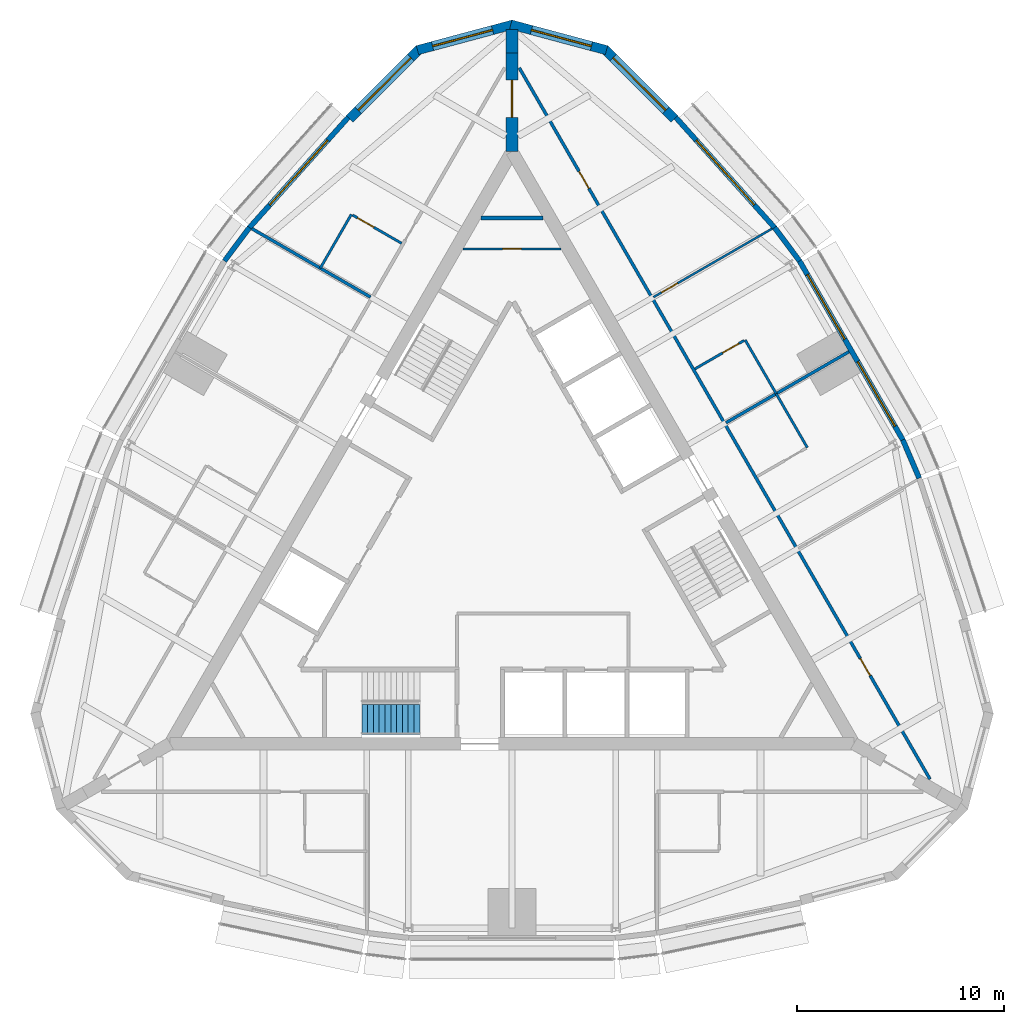
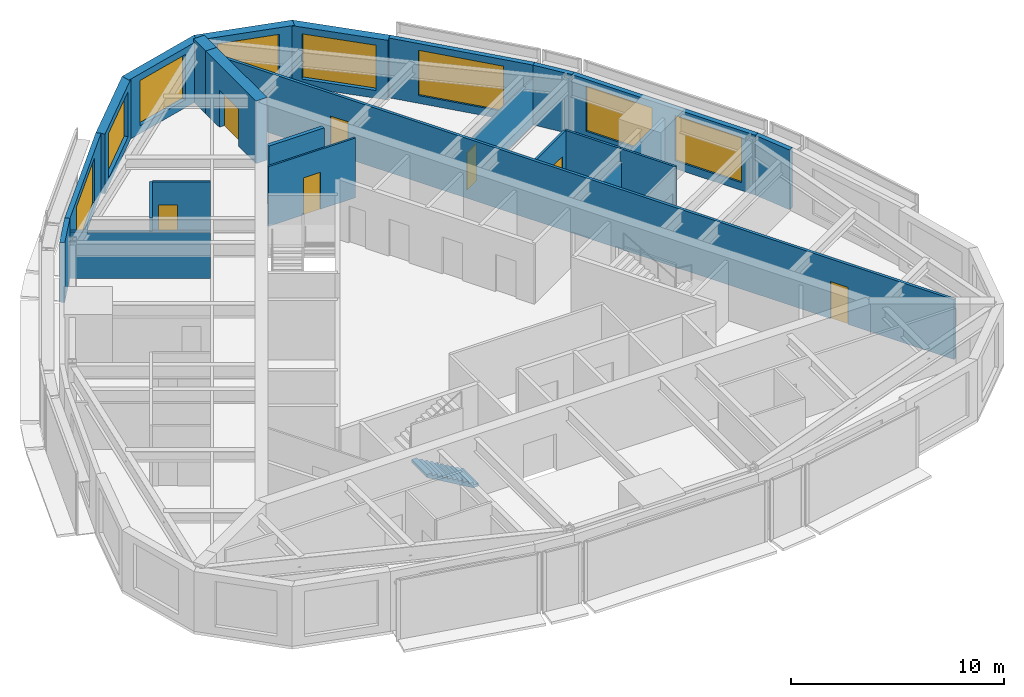
# One storey, part 10 of 12: 23 walls, 8 windows, 7 doors, 1 stair flight, 15 openings, 1 element without a shape of its own.
"""IFC4 building model written with IfcOpenShell, lengths in metres."""

from ifc_helpers import new_model, si_unit, direction, frame, frame_2d, origin, place, context, subcontext, project, spatial, polyline, rectangle, outline, extrude, material, layer, layer_set, type_object, element, fill, aggregate, save


model = new_model("IFC4")

# Units and contexts
model_context = context("Model", 3, precision=1e-05, world=origin(), true_north=direction((0.0, 1.0)))
body_context = subcontext(model_context, "Body", "Model", "MODEL_VIEW")
ifc_project = project(units=[si_unit("LENGTHUNIT", "METRE"), si_unit("AREAUNIT", "SQUARE_METRE"), si_unit("VOLUMEUNIT", "CUBIC_METRE"), si_unit("PLANEANGLEUNIT", "RADIAN"), si_unit("MASSUNIT", "GRAM", prefix="KILO")], contexts=[model_context])

# Site, building, storey
site_placement = place(None, origin())
site = spatial("IfcSite", under=ifc_project, at=site_placement, CompositionType="ELEMENT")
building_placement = place(site_placement, origin())
building = spatial("IfcBuilding", under=site, at=building_placement, Name="Trikona Tower", CompositionType="ELEMENT")
storey_placement = place(building_placement, frame((0.0, 0.0, 250.10009765625)))
storey = spatial("IfcBuildingStorey", under=building, at=storey_placement, Name="L66", CompositionType="ELEMENT", Elevation=250.10009765625)

# Walls
ifc_material_1 = material(Name="Metal stud and cement board", Category="gypsum")
ifc_layer_1 = layer(ifc_material_1, 0.1201171875)
ifc_layer_set_1 = layer_set([ifc_layer_1], Name="Bathroom wall 120")
wall_type_1 = type_object("IfcWallType", Name="Bathroom wall 120", PredefinedType="PLUMBINGWALL", material=ifc_layer_set_1)
wall_1_placement = place(storey_placement, frame((14.25341796875, 4.76513671875, 0.0), z_axis=(0.0, 0.0, 1.0), x_axis=(-0.50002537861, 0.866010750942, 0.0)))
element("IfcWall", 1, at=wall_1_placement, inside=storey, type_object=wall_type_1, Name="Bathroom wall 6603.1", PredefinedType="PLUMBINGWALL", context=body_context, shape_type="SweptSolid", body=[
    extrude(rectangle(XDim=2.999755859375, YDim=0.1201171875, at=frame_2d((1.5, 0.0))), origin(), (0.0, 0.0, 1.0), 3.434814453125),
])
wall_2_placement = place(storey_placement, frame((12.75341796875, 7.363037109375, 0.0), z_axis=(0.0, 0.0, 1.0), x_axis=(-0.499990139034, 0.866031096941, 0.0)))
element("IfcWall", 2, at=wall_2_placement, inside=storey, type_object=wall_type_1, Name="Bathroom wall 6604.1", PredefinedType="PLUMBINGWALL", context=body_context, shape_type="SweptSolid", body=[
    extrude(rectangle(XDim=3.0, YDim=0.1201171875, at=frame_2d((1.5, 0.0))), origin(), (0.0, 0.0, 1.0), 3.434814453125),
])

# Wall, opening, door
wall_3_placement = place(storey_placement, frame((8.82861328125, 8.561279296875, 0.0), z_axis=(0.0, 0.0, 1.0), x_axis=(0.866035715982, 0.499982138324, 0.0)))
wall_3 = element("IfcWall", 3, at=wall_3_placement, inside=storey, type_object=wall_type_1, Name="Bathroom wall 6604.1", PredefinedType="PLUMBINGWALL", context=body_context, shape_type="SweptSolid", body=[
    extrude(rectangle(XDim=2.73974609375, YDim=0.1201171875, at=frame_2d((1.369873046875, 0.0))), origin(), (0.0, 0.0, 1.0), 3.434814453125),
])
opening_1_placement = place(wall_3_placement, frame((1.550048828125, 0.0, 0.0)))
opening_1 = element("IfcOpeningElement", 4, at=opening_1_placement, cuts=wall_3, Name="Opening D2", PredefinedType="OPENING", context=body_context, shape_type="SweptSolid", body=[
    extrude(rectangle(XDim=0.89990234375, YDim=2.1298828125, at=frame_2d((0.449951171875, 1.06494140625))), frame((0.0, 0.070068359375, 0.0), z_axis=(0.0, -1.0, 0.0), x_axis=(1.0, 0.0, 0.0)), (0.0, 0.0, 1.0), 0.14013671875),
])
ifc_material_2 = material(Name="Steel door frame with solid-core timber leaf", Category="steel")
door_type_1 = type_object("IfcDoorType", Name="Bathroom door 900x2130", OperationType="SLIDING_TO_LEFT", PredefinedType="DOOR", material=ifc_material_2)
door_1_placement = place(opening_1_placement, origin())
door_1 = element("IfcDoor", 5, at=door_1_placement, inside=storey, type_object=door_type_1, Name="Bathroom door 6604.1", OperationType="SLIDING_TO_LEFT", OverallHeight=2.1298828125, OverallWidth=0.89990234375, PredefinedType="DOOR", context=body_context, shape_type="SweptSolid", body=[
    extrude(rectangle(XDim=0.89990234375, YDim=2.1298828125, at=frame_2d((0.449951171875, 1.06494140625))), frame((0.0, 0.02490234375, 0.0), z_axis=(0.0, -1.0, 0.0), x_axis=(1.0, 0.0, 0.0)), (0.0, 0.0, 1.0), 0.050048828125),
])
fill(opening_1, door_1)

# Wall
wall_4_placement = place(storey_placement, frame((-7.75341796875, 16.0234375, 0.0), z_axis=(0.0, 0.0, 1.0), x_axis=(-0.499990139034, -0.866031096941, 0.0)))
element("IfcWall", 6, at=wall_4_placement, inside=storey, type_object=wall_type_1, Name="Bathroom wall 6605", PredefinedType="PLUMBINGWALL", context=body_context, shape_type="SweptSolid", body=[
    extrude(rectangle(XDim=3.0, YDim=0.1201171875, at=frame_2d((1.5, 0.0))), origin(), (0.0, 0.0, 1.0), 3.434814453125),
])

# Wall, opening, door
wall_5_placement = place(storey_placement, frame((-5.32861328125, 14.623291015625, 0.0), z_axis=(0.0, 0.0, 1.0), x_axis=(-0.865997131366, 0.500048966069, 0.0)))
wall_5 = element("IfcWall", 7, at=wall_5_placement, inside=storey, type_object=wall_type_1, Name="Bathroom wall 6605", PredefinedType="PLUMBINGWALL", context=body_context, shape_type="SweptSolid", body=[
    extrude(rectangle(XDim=2.739990234375, YDim=0.1201171875, at=frame_2d((1.3701171875, 0.0))), origin(), (0.0, 0.0, 1.0), 3.434814453125),
])
opening_2_placement = place(wall_5_placement, frame((1.550048828125, 0.0, 0.0)))
opening_2 = element("IfcOpeningElement", 8, at=opening_2_placement, cuts=wall_5, Name="Opening D2", PredefinedType="OPENING", context=body_context, shape_type="SweptSolid", body=[
    extrude(rectangle(XDim=0.89990234375, YDim=2.1298828125, at=frame_2d((0.449951171875, 1.06494140625))), frame((0.0, 0.070068359375, 0.0), z_axis=(0.0, -1.0, 0.0), x_axis=(1.0, 0.0, 0.0)), (0.0, 0.0, 1.0), 0.14013671875),
])
door_2_placement = place(opening_2_placement, origin())
door_2 = element("IfcDoor", 9, at=door_2_placement, inside=storey, type_object=door_type_1, Name="Bathroom door 6605", OperationType="SLIDING_TO_LEFT", OverallHeight=2.1298828125, OverallWidth=0.89990234375, PredefinedType="DOOR", context=body_context, shape_type="SweptSolid", body=[
    extrude(rectangle(XDim=0.89990234375, YDim=2.1298828125, at=frame_2d((0.449951171875, 1.06494140625))), frame((0.0, 0.02490234375, 0.0), z_axis=(0.0, -1.0, 0.0), x_axis=(1.0, 0.0, 0.0)), (0.0, 0.0, 1.0), 0.050048828125),
])
fill(opening_2, door_2)

# Wall, opening, window
ifc_material_3 = material(Name="Brick-faced precast concrete", Category="masonry")
ifc_layer_2 = layer(ifc_material_3, 0.449951171875)
ifc_layer_set_2 = layer_set([ifc_layer_2], Name="Brick-faced corner wall 450")
wall_type_2 = type_object("IfcWallType", Name="Brick-faced corner wall 450", PredefinedType="SOLIDWALL", material=ifc_layer_set_2)
wall_6_placement = place(storey_placement, frame((7.8408203125, 20.62548828125, 0.0), z_axis=(0.0, 0.0, 1.0), x_axis=(-0.707106781187, 0.707106781187, 0.0)))
wall_6 = element("IfcWall", 10, at=wall_6_placement, inside=storey, type_object=wall_type_2, Name="External wall L66-14", PredefinedType="SOLIDWALL", context=body_context, shape_type="SweptSolid", body=[
    extrude(rectangle(XDim=4.781494140625, YDim=0.449951171875, at=frame_2d((2.390625, 0.0))), origin(), (0.0, 0.0, 1.0), 3.434814453125),
])
opening_3_placement = place(wall_6_placement, frame((0.5908203125, 0.0, 0.449951171875)))
opening_3 = element("IfcOpeningElement", 11, at=opening_3_placement, cuts=wall_6, Name="Opening W3626", PredefinedType="OPENING", context=body_context, shape_type="SweptSolid", body=[
    extrude(rectangle(XDim=3.60009765625, YDim=2.60009765625, at=frame_2d((1.800048828125, 1.300048828125))), frame((0.0, 0.23486328125, 0.0), z_axis=(0.0, -1.0, 0.0), x_axis=(1.0, 0.0, 0.0)), (0.0, 0.0, 1.0), 0.469970703125),
])
ifc_material_4 = material(Name="Aluminium-framed double glazing", Category="aluminium")
window_type_1 = type_object("IfcWindowType", Name="Window 3600x2600", PartitioningType="SINGLE_PANEL", PredefinedType="WINDOW", material=ifc_material_4)
window_1_placement = place(opening_3_placement, origin())
window_1 = element("IfcWindow", 12, at=window_1_placement, inside=storey, type_object=window_type_1, Name="Window 6604", OverallHeight=2.60009765625, OverallWidth=3.60009765625, PartitioningType="SINGLE_PANEL", PredefinedType="WINDOW", context=body_context, shape_type="SweptSolid", body=[
    extrude(rectangle(XDim=3.60009765625, YDim=2.60009765625, at=frame_2d((1.800048828125, 1.300048828125))), frame((0.0, 0.030029296875, 0.0), z_axis=(0.0, -1.0, 0.0), x_axis=(1.0, 0.0, 0.0)), (0.0, 0.0, 1.0), 0.06005859375),
])
fill(opening_3, window_1)

wall_7_placement = place(storey_placement, frame((4.560546875, 23.948486328125, 0.0), z_axis=(0.0, 0.0, 1.0), x_axis=(-0.965926628191, 0.258816052347, 0.0)))
wall_7 = element("IfcWall", 13, at=wall_7_placement, inside=storey, type_object=wall_type_2, Name="External wall L66-15", PredefinedType="SOLIDWALL", context=body_context, shape_type="SweptSolid", body=[
    extrude(outline(polyline([(4.781494140625, 0.22509765625), (4.722412109375, 0.22509765625), (4.37548828125, 0.132080078125), (4.3505859375, 0.22509765625), (0.0, 0.22509765625), (0.0, -0.22509765625), (4.781494140625, -0.22509765625), (4.781494140625, 0.22509765625)])), origin(), (0.0, 0.0, 1.0), 3.434814453125),
])
opening_4_placement = place(wall_7_placement, frame((0.750244140625, 0.0, 0.449951171875)))
opening_4 = element("IfcOpeningElement", 14, at=opening_4_placement, cuts=wall_7, Name="Opening W3026", PredefinedType="OPENING", context=body_context, shape_type="SweptSolid", body=[
    extrude(rectangle(XDim=3.0, YDim=2.60009765625, at=frame_2d((1.5, 1.300048828125))), frame((0.0, 0.23486328125, 0.0), z_axis=(0.0, -1.0, 0.0), x_axis=(1.0, 0.0, 0.0)), (0.0, 0.0, 1.0), 0.469970703125),
])
ifc_material_5 = material(Name="Aluminium-framed double glazing", Category="aluminium")
window_type_2 = type_object("IfcWindowType", Name="Window 3000x2600", PartitioningType="SINGLE_PANEL", PredefinedType="WINDOW", material=ifc_material_5)
window_2_placement = place(opening_4_placement, origin())
window_2 = element("IfcWindow", 15, at=window_2_placement, inside=storey, type_object=window_type_2, Name="Window 6604", OverallHeight=2.60009765625, OverallWidth=3.0, PartitioningType="SINGLE_PANEL", PredefinedType="WINDOW", context=body_context, shape_type="SweptSolid", body=[
    extrude(rectangle(XDim=3.0, YDim=2.60009765625, at=frame_2d((1.5, 1.300048828125))), frame((0.0, 0.030029296875, 0.0), z_axis=(0.0, -1.0, 0.0), x_axis=(1.0, 0.0, 0.0)), (0.0, 0.0, 1.0), 0.06005859375),
])
fill(opening_4, window_2)

wall_8_placement = place(storey_placement, frame((0.05810546875, 25.18603515625, 0.0), z_axis=(0.0, 0.0, 1.0), x_axis=(-0.965926628191, -0.258816052347, 0.0)))
wall_8 = element("IfcWall", 16, at=wall_8_placement, inside=storey, type_object=wall_type_2, Name="External wall L66-16", PredefinedType="SOLIDWALL", context=body_context, shape_type="SweptSolid", body=[
    extrude(outline(polyline([(4.781494140625, 0.22509765625), (0.430908203125, 0.22509765625), (0.406005859375, 0.132080078125), (0.059326171875, 0.22509765625), (0.0, 0.22509765625), (0.0, -0.22509765625), (4.781494140625, -0.22509765625), (4.781494140625, 0.22509765625)])), origin(), (0.0, 0.0, 1.0), 3.434814453125),
])
opening_5_placement = place(wall_8_placement, frame((1.031494140625, 0.0, 0.449951171875)))
opening_5 = element("IfcOpeningElement", 17, at=opening_5_placement, cuts=wall_8, Name="Opening W3026", PredefinedType="OPENING", context=body_context, shape_type="SweptSolid", body=[
    extrude(rectangle(XDim=3.0, YDim=2.60009765625, at=frame_2d((1.5, 1.300048828125))), frame((0.0, 0.23486328125, 0.0), z_axis=(0.0, -1.0, 0.0), x_axis=(1.0, 0.0, 0.0)), (0.0, 0.0, 1.0), 0.469970703125),
])
window_3_placement = place(opening_5_placement, origin())
window_3 = element("IfcWindow", 18, at=window_3_placement, inside=storey, type_object=window_type_2, Name="Window 6605", OverallHeight=2.60009765625, OverallWidth=3.0, PartitioningType="SINGLE_PANEL", PredefinedType="WINDOW", context=body_context, shape_type="SweptSolid", body=[
    extrude(rectangle(XDim=3.0, YDim=2.60009765625, at=frame_2d((1.5, 1.300048828125))), frame((0.0, 0.030029296875, 0.0), z_axis=(0.0, -1.0, 0.0), x_axis=(1.0, 0.0, 0.0)), (0.0, 0.0, 1.0), 0.06005859375),
])
fill(opening_5, window_3)

wall_9_placement = place(storey_placement, frame((-4.459716796875, 24.006591796875, 0.0), z_axis=(0.0, 0.0, 1.0), x_axis=(-0.707106781187, -0.707106781187, 0.0)))
wall_9 = element("IfcWall", 19, at=wall_9_placement, inside=storey, type_object=wall_type_2, Name="External wall L66-17", PredefinedType="SOLIDWALL", context=body_context, shape_type="SweptSolid", body=[
    extrude(rectangle(XDim=4.781494140625, YDim=0.449951171875, at=frame_2d((2.390625, 0.0))), origin(), (0.0, 0.0, 1.0), 3.434814453125),
])
opening_6_placement = place(wall_9_placement, frame((0.5908203125, 0.0, 0.449951171875)))
opening_6 = element("IfcOpeningElement", 20, at=opening_6_placement, cuts=wall_9, Name="Opening W3626", PredefinedType="OPENING", context=body_context, shape_type="SweptSolid", body=[
    extrude(rectangle(XDim=3.60009765625, YDim=2.60009765625, at=frame_2d((1.800048828125, 1.300048828125))), frame((0.0, 0.23486328125, 0.0), z_axis=(0.0, -1.0, 0.0), x_axis=(1.0, 0.0, 0.0)), (0.0, 0.0, 1.0), 0.469970703125),
])
window_4_placement = place(opening_6_placement, origin())
window_4 = element("IfcWindow", 21, at=window_4_placement, inside=storey, type_object=window_type_1, Name="Window 6605", OverallHeight=2.60009765625, OverallWidth=3.60009765625, PartitioningType="SINGLE_PANEL", PredefinedType="WINDOW", context=body_context, shape_type="SweptSolid", body=[
    extrude(rectangle(XDim=3.60009765625, YDim=2.60009765625, at=frame_2d((1.800048828125, 1.300048828125))), frame((0.0, 0.030029296875, 0.0), z_axis=(0.0, -1.0, 0.0), x_axis=(1.0, 0.0, 0.0)), (0.0, 0.0, 1.0), 0.06005859375),
])
fill(opening_6, window_4)

# Wall, opening, door
ifc_material_6 = material(Name="Concrete f'c 10000 psi", Category="concrete")
ifc_layer_3 = layer(ifc_material_6, 0.60009765625)
ifc_layer_set_3 = layer_set([ifc_layer_3], Name="Buttress wall 600")
wall_type_3 = type_object("IfcWallType", Name="Buttress wall 600", PredefinedType="SHEAR", material=ifc_layer_set_3)
wall_10_placement = place(storey_placement, frame((0.0, 19.052490234375, 0.0), z_axis=(0.0, 0.0, 1.0), x_axis=(0.0, 1.0, 0.0)))
wall_10 = element("IfcWall", 22, at=wall_10_placement, inside=storey, type_object=wall_type_3, Name="Buttress wall 2", PredefinedType="SHEAR", context=body_context, shape_type="SweptSolid", body=[
    extrude(rectangle(XDim=4.74609375, YDim=0.60009765625, at=frame_2d((2.373046875, 0.0))), origin(), (0.0, 0.0, 1.0), 3.599853515625),
])
opening_7_placement = place(wall_10_placement, frame((1.64990234375, 0.0, 0.0)))
opening_7 = element("IfcOpeningElement", 23, at=opening_7_placement, cuts=wall_10, Name="Opening D10", PredefinedType="OPENING", context=body_context, shape_type="SweptSolid", body=[
    extrude(rectangle(XDim=1.800048828125, YDim=2.1298828125, at=frame_2d((0.89990234375, 1.06494140625))), frame((0.0, 0.31005859375, 0.0), z_axis=(0.0, -1.0, 0.0), x_axis=(1.0, 0.0, 0.0)), (0.0, 0.0, 1.0), 0.6201171875),
])
ifc_material_7 = material(Name="Hollow metal door and frame", Category="steel")
door_type_2 = type_object("IfcDoorType", Name="Cross-corridor door pair 1800x2130", OperationType="DOUBLE_DOOR_DOUBLE_SWING", PredefinedType="DOOR", material=ifc_material_7)
door_3_placement = place(opening_7_placement, origin())
door_3 = element("IfcDoor", 24, at=door_3_placement, inside=storey, type_object=door_type_2, Name="Cross-corridor door 2", OperationType="DOUBLE_DOOR_DOUBLE_SWING", OverallHeight=2.1298828125, OverallWidth=1.800048828125, PredefinedType="DOOR", context=body_context, shape_type="SweptSolid", body=[
    extrude(rectangle(XDim=1.800048828125, YDim=2.1298828125, at=frame_2d((0.89990234375, 1.06494140625))), frame((0.0, 0.02490234375, 0.0), z_axis=(0.0, -1.0, 0.0), x_axis=(1.0, 0.0, 0.0)), (0.0, 0.0, 1.0), 0.050048828125),
])
fill(opening_7, door_3)

# Wall
wall_11_placement = place(storey_placement, frame((0.0, 23.798583984375, 0.0), z_axis=(0.0, 0.0, 1.0), x_axis=(0.0, 1.0, 0.0)))
element("IfcWall", 25, at=wall_11_placement, inside=storey, type_object=wall_type_3, Name="Buttress wall 2 part 2", PredefinedType="SHEAR", context=body_context, shape_type="SweptSolid", body=[
    extrude(rectangle(XDim=1.15478515625, YDim=0.60009765625, at=frame_2d((0.577392578125, 0.0))), origin(), (0.0, 0.0, 1.0), 3.599853515625),
])

# Wall, openings, doors
ifc_material_8 = material(Name="Metal stud and gypsum board, 1-hour", Category="gypsum")
ifc_layer_4 = layer(ifc_material_8, 0.14990234375)
ifc_layer_set_4 = layer_set([ifc_layer_4], Name="Corridor wall 150")
wall_type_4 = type_object("IfcWallType", Name="Corridor wall 150", PredefinedType="PARTITIONING", material=ifc_layer_set_4)
wall_12_placement = place(storey_placement, frame((20.177001953125, -11.2451171875, 0.0), z_axis=(0.0, 0.0, 1.0), x_axis=(-0.499998875317, 0.866026053119, 0.0)))
wall_12 = element("IfcWall", 26, at=wall_12_placement, inside=storey, type_object=wall_type_4, Name="Corridor wall L66-2", PredefinedType="PARTITIONING", context=body_context, shape_type="SweptSolid", body=[
    extrude(rectangle(XDim=39.65380859375, YDim=0.14990234375, at=frame_2d((19.826904296875, 0.0))), origin(), (0.0, 0.0, 1.0), 3.434814453125),
])
opening_8_placement = place(wall_12_placement, frame((5.771728515625, 0.0, 0.0)))
opening_8 = element("IfcOpeningElement", 27, at=opening_8_placement, cuts=wall_12, Name="Opening D1", PredefinedType="OPENING", context=body_context, shape_type="SweptSolid", body=[
    extrude(rectangle(XDim=0.949951171875, YDim=2.1298828125, at=frame_2d((0.47509765625, 1.06494140625))), frame((0.0, 0.0849609375, 0.0), z_axis=(0.0, -1.0, 0.0), x_axis=(1.0, 0.0, 0.0)), (0.0, 0.0, 1.0), 0.169921875),
])
opening_9_placement = place(wall_12_placement, frame((32.932373046875, 0.0, 0.0)))
opening_9 = element("IfcOpeningElement", 28, at=opening_9_placement, cuts=wall_12, Name="Opening D1", PredefinedType="OPENING", context=body_context, shape_type="SweptSolid", body=[
    extrude(rectangle(XDim=0.949951171875, YDim=2.1298828125, at=frame_2d((0.47509765625, 1.06494140625))), frame((0.0, 0.0849609375, 0.0), z_axis=(0.0, -1.0, 0.0), x_axis=(1.0, 0.0, 0.0)), (0.0, 0.0, 1.0), 0.169921875),
])
ifc_material_9 = material(Name="Steel door frame with solid-core timber leaf", Category="steel")
door_type_3 = type_object("IfcDoorType", Name="Guest room door 950x2130", OperationType="SINGLE_SWING_LEFT", PredefinedType="DOOR", material=ifc_material_9)
door_4_placement = place(opening_8_placement, origin())
door_4 = element("IfcDoor", 29, at=door_4_placement, inside=storey, type_object=door_type_3, Name="Room door 6603", OperationType="SINGLE_SWING_LEFT", OverallHeight=2.1298828125, OverallWidth=0.949951171875, PredefinedType="DOOR", context=body_context, shape_type="SweptSolid", body=[
    extrude(rectangle(XDim=0.949951171875, YDim=2.1298828125, at=frame_2d((0.47509765625, 1.06494140625))), frame((0.0, 0.02490234375, 0.0), z_axis=(0.0, -1.0, 0.0), x_axis=(1.0, 0.0, 0.0)), (0.0, 0.0, 1.0), 0.050048828125),
])
fill(opening_8, door_4)
door_5_placement = place(opening_9_placement, origin())
door_5 = element("IfcDoor", 30, at=door_5_placement, inside=storey, type_object=door_type_3, Name="Room door 6604", OperationType="SINGLE_SWING_RIGHT", OverallHeight=2.1298828125, OverallWidth=0.949951171875, PredefinedType="DOOR", context=body_context, shape_type="SweptSolid", body=[
    extrude(rectangle(XDim=0.949951171875, YDim=2.1298828125, at=frame_2d((0.47509765625, 1.06494140625))), frame((0.0, 0.02490234375, 0.0), z_axis=(0.0, -1.0, 0.0), x_axis=(1.0, 0.0, 0.0)), (0.0, 0.0, 1.0), 0.050048828125),
])
fill(opening_9, door_5)

# Wall
ifc_material_10 = material(Name="Insulated precast concrete spandrel panel", Category="concrete")
ifc_layer_5 = layer(ifc_material_10, 0.25)
ifc_layer_set_5 = layer_set([ifc_layer_5], Name="Inner skin wall 250")
wall_type_5 = type_object("IfcWallType", Name="Inner skin wall 250", PredefinedType="STANDARD", material=ifc_layer_set_5)
wall_13_placement = place(storey_placement, frame((19.658203125, 3.283935546875, 0.0), z_axis=(0.0, 0.0, 1.0), x_axis=(-0.393290226175, 0.91941437774, 0.0)))
element("IfcWall", 31, at=wall_13_placement, inside=storey, type_object=wall_type_5, Name="External wall L66-10", PredefinedType="STANDARD", context=body_context, shape_type="SweptSolid", body=[
    extrude(rectangle(XDim=2.014404296875, YDim=0.25, at=frame_2d((1.00732421875, 0.0))), origin(), (0.0, 0.0, 1.0), 3.434814453125),
])

# Wall, openings, windows
wall_14_placement = place(storey_placement, frame((18.87255859375, 5.12255859375, 0.0), z_axis=(0.0, 0.0, 1.0), x_axis=(-0.499993662806, 0.866029062534, 0.0)))
wall_14 = element("IfcWall", 32, at=wall_14_placement, inside=storey, type_object=wall_type_5, Name="External wall L66-11", PredefinedType="STANDARD", context=body_context, shape_type="SweptSolid", body=[
    extrude(rectangle(XDim=10.000244140625, YDim=0.25, at=frame_2d((5.0, 0.0))), origin(), (0.0, 0.0, 1.0), 3.434814453125),
])
opening_10_placement = place(wall_14_placement, frame((0.77490234375, 0.0, 0.449951171875)))
opening_10 = element("IfcOpeningElement", 33, at=opening_10_placement, cuts=wall_14, Name="Opening W3626", PredefinedType="OPENING", context=body_context, shape_type="SweptSolid", body=[
    extrude(rectangle(XDim=3.60009765625, YDim=2.60009765625, at=frame_2d((1.800048828125, 1.300048828125))), frame((0.0, 0.135009765625, 0.0), z_axis=(0.0, -1.0, 0.0), x_axis=(1.0, 0.0, 0.0)), (0.0, 0.0, 1.0), 0.27001953125),
])
opening_11_placement = place(wall_14_placement, frame((5.625, 0.0, 0.449951171875)))
opening_11 = element("IfcOpeningElement", 34, at=opening_11_placement, cuts=wall_14, Name="Opening W3626", PredefinedType="OPENING", context=body_context, shape_type="SweptSolid", body=[
    extrude(rectangle(XDim=3.60009765625, YDim=2.60009765625, at=frame_2d((1.800048828125, 1.300048828125))), frame((0.0, 0.135009765625, 0.0), z_axis=(0.0, -1.0, 0.0), x_axis=(1.0, 0.0, 0.0)), (0.0, 0.0, 1.0), 0.27001953125),
])
window_5_placement = place(opening_10_placement, origin())
window_5 = element("IfcWindow", 35, at=window_5_placement, inside=storey, type_object=window_type_1, Name="Window 6603.1", OverallHeight=2.60009765625, OverallWidth=3.60009765625, PartitioningType="SINGLE_PANEL", PredefinedType="WINDOW", context=body_context, shape_type="SweptSolid", body=[
    extrude(rectangle(XDim=3.60009765625, YDim=2.60009765625, at=frame_2d((1.800048828125, 1.300048828125))), frame((0.0, 0.030029296875, 0.0), z_axis=(0.0, -1.0, 0.0), x_axis=(1.0, 0.0, 0.0)), (0.0, 0.0, 1.0), 0.06005859375),
])
fill(opening_10, window_5)
window_6_placement = place(opening_11_placement, origin())
window_6 = element("IfcWindow", 36, at=window_6_placement, inside=storey, type_object=window_type_1, Name="Window 6604.1", OverallHeight=2.60009765625, OverallWidth=3.60009765625, PartitioningType="SINGLE_PANEL", PredefinedType="WINDOW", context=body_context, shape_type="SweptSolid", body=[
    extrude(rectangle(XDim=3.60009765625, YDim=2.60009765625, at=frame_2d((1.800048828125, 1.300048828125))), frame((0.0, 0.030029296875, 0.0), z_axis=(0.0, -1.0, 0.0), x_axis=(1.0, 0.0, 0.0)), (0.0, 0.0, 1.0), 0.06005859375),
])
fill(opening_11, window_6)

# Wall
wall_15_placement = place(storey_placement, frame((13.880859375, 13.7705078125, 0.0), z_axis=(0.0, 0.0, 1.0), x_axis=(-0.599650843534, 0.800261748335, 0.0)))
element("IfcWall", 37, at=wall_15_placement, inside=storey, type_object=wall_type_5, Name="External wall L66-12", PredefinedType="STANDARD", context=body_context, shape_type="SweptSolid", body=[
    extrude(rectangle(XDim=2.01416015625, YDim=0.25, at=frame_2d((1.007080078125, 0.0))), origin(), (0.0, 0.0, 1.0), 3.434814453125),
])

# Wall, opening, window
wall_16_placement = place(storey_placement, frame((12.679931640625, 15.3740234375, 0.0), z_axis=(0.0, 0.0, 1.0), x_axis=(-0.667303550892, 0.744785855778, 0.0)))
wall_16 = element("IfcWall", 38, at=wall_16_placement, inside=storey, type_object=wall_type_5, Name="External wall L66-13", PredefinedType="STANDARD", context=body_context, shape_type="SweptSolid", body=[
    extrude(rectangle(XDim=7.152587890625, YDim=0.25, at=frame_2d((3.576171875, 0.0))), origin(), (0.0, 0.0, 1.0), 3.434814453125),
])
opening_12_placement = place(wall_16_placement, frame((1.476318359375, 0.0, 0.449951171875)))
opening_12 = element("IfcOpeningElement", 39, at=opening_12_placement, cuts=wall_16, Name="Opening W4226", PredefinedType="OPENING", context=body_context, shape_type="SweptSolid", body=[
    extrude(rectangle(XDim=4.199951171875, YDim=2.60009765625, at=frame_2d((2.10009765625, 1.300048828125))), frame((0.0, 0.135009765625, 0.0), z_axis=(0.0, -1.0, 0.0), x_axis=(1.0, 0.0, 0.0)), (0.0, 0.0, 1.0), 0.27001953125),
])
ifc_material_11 = material(Name="Aluminium-framed double glazing", Category="aluminium")
window_type_3 = type_object("IfcWindowType", Name="Window 4200x2600", PartitioningType="SINGLE_PANEL", PredefinedType="WINDOW", material=ifc_material_11)
window_7_placement = place(opening_12_placement, origin())
window_7 = element("IfcWindow", 40, at=window_7_placement, inside=storey, type_object=window_type_3, Name="Window 6604", OverallHeight=2.60009765625, OverallWidth=4.199951171875, PartitioningType="SINGLE_PANEL", PredefinedType="WINDOW", context=body_context, shape_type="SweptSolid", body=[
    extrude(rectangle(XDim=4.199951171875, YDim=2.60009765625, at=frame_2d((2.10009765625, 1.300048828125))), frame((0.0, 0.030029296875, 0.0), z_axis=(0.0, -1.0, 0.0), x_axis=(1.0, 0.0, 0.0)), (0.0, 0.0, 1.0), 0.06005859375),
])
fill(opening_12, window_7)

wall_17_placement = place(storey_placement, frame((-7.906982421875, 20.701171875, 0.0), z_axis=(0.0, 0.0, 1.0), x_axis=(-0.667303550892, -0.744785855778, 0.0)))
wall_17 = element("IfcWall", 41, at=wall_17_placement, inside=storey, type_object=wall_type_5, Name="External wall L66-18", PredefinedType="STANDARD", context=body_context, shape_type="SweptSolid", body=[
    extrude(rectangle(XDim=7.152587890625, YDim=0.25, at=frame_2d((3.576171875, 0.0))), origin(), (0.0, 0.0, 1.0), 3.434814453125),
])
opening_13_placement = place(wall_17_placement, frame((1.476318359375, 0.0, 0.449951171875)))
opening_13 = element("IfcOpeningElement", 42, at=opening_13_placement, cuts=wall_17, Name="Opening W4226", PredefinedType="OPENING", context=body_context, shape_type="SweptSolid", body=[
    extrude(rectangle(XDim=4.199951171875, YDim=2.60009765625, at=frame_2d((2.10009765625, 1.300048828125))), frame((0.0, 0.135009765625, 0.0), z_axis=(0.0, -1.0, 0.0), x_axis=(1.0, 0.0, 0.0)), (0.0, 0.0, 1.0), 0.27001953125),
])
window_8_placement = place(opening_13_placement, origin())
window_8 = element("IfcWindow", 43, at=window_8_placement, inside=storey, type_object=window_type_3, Name="Window 6605", OverallHeight=2.60009765625, OverallWidth=4.199951171875, PartitioningType="SINGLE_PANEL", PredefinedType="WINDOW", context=body_context, shape_type="SweptSolid", body=[
    extrude(rectangle(XDim=4.199951171875, YDim=2.60009765625, at=frame_2d((2.10009765625, 1.300048828125))), frame((0.0, 0.030029296875, 0.0), z_axis=(0.0, -1.0, 0.0), x_axis=(1.0, 0.0, 0.0)), (0.0, 0.0, 1.0), 0.06005859375),
])
fill(opening_13, window_8)

# Walls
wall_18_placement = place(storey_placement, frame((-12.673095703125, 15.38232421875, 0.0), z_axis=(0.0, 0.0, 1.0), x_axis=(-0.599650843534, -0.800261748335, 0.0)))
element("IfcWall", 44, at=wall_18_placement, inside=storey, type_object=wall_type_5, Name="External wall L66-19", PredefinedType="STANDARD", context=body_context, shape_type="SweptSolid", body=[
    extrude(rectangle(XDim=2.01416015625, YDim=0.25, at=frame_2d((1.007080078125, 0.0))), origin(), (0.0, 0.0, 1.0), 3.434814453125),
])
ifc_material_12 = material(Name="Metal stud and gypsum board, 1-hour acoustic", Category="gypsum")
ifc_layer_6 = layer(ifc_material_12, 0.14990234375)
ifc_layer_set_6 = layer_set([ifc_layer_6], Name="Party wall 150")
wall_type_6 = type_object("IfcWallType", Name="Party wall 150", PredefinedType="PARTITIONING", material=ifc_layer_set_6)
wall_19_placement = place(storey_placement, frame((10.32861328125, 5.963134765625, 0.0), z_axis=(0.0, 0.0, 1.0), x_axis=(0.866011785882, 0.500023586156, 0.0)))
element("IfcWall", 45, at=wall_19_placement, inside=storey, type_object=wall_type_6, Name="Partition L66 F2 u-1.77636e-15", PredefinedType="PARTITIONING", context=body_context, shape_type="SweptSolid", body=[
    extrude(rectangle(XDim=6.854248046875, YDim=0.14990234375, at=frame_2d((3.42724609375, 0.0))), origin(), (0.0, 0.0, 1.0), 2.677978515625),
])
wall_20_placement = place(storey_placement, frame((-6.82861328125, 12.025390625, 0.0), z_axis=(0.0, 0.0, 1.0), x_axis=(-0.866029323189, 0.499993211332, 0.0)))
element("IfcWall", 46, at=wall_20_placement, inside=storey, type_object=wall_type_6, Name="Partition L66 F3 u-7", PredefinedType="PARTITIONING", context=body_context, shape_type="SweptSolid", body=[
    extrude(rectangle(XDim=6.6083984375, YDim=0.14990234375, at=frame_2d((3.30419921875, 0.0))), origin(), (0.0, 0.0, 1.0), 2.677978515625),
])
ifc_material_13 = material(Name="Concrete f'c 8000 psi", Category="concrete")
ifc_layer_7 = layer(ifc_material_13, 0.199951171875)
ifc_layer_set_7 = layer_set([ifc_layer_7], Name="Shaft wall 200")
wall_type_7 = type_object("IfcWallType", Name="Shaft wall 200", PredefinedType="SOLIDWALL", material=ifc_layer_set_7)
wall_21_placement = place(storey_placement, frame((-1.501220703125, 15.8525390625, 0.0), z_axis=(0.0, 0.0, 1.0), x_axis=(1.0, 0.0, 0.0)))
element("IfcWall", 47, at=wall_21_placement, inside=storey, type_object=wall_type_7, Name="Riser wall L66-RS2", PredefinedType="SOLIDWALL", context=body_context, shape_type="SweptSolid", body=[
    extrude(rectangle(XDim=3.00244140625, YDim=0.199951171875, at=frame_2d((1.501220703125, 0.0))), origin(), (0.0, 0.0, 1.0), 3.434814453125),
])

# Wall, opening, door
ifc_material_14 = material(Name="Metal stud and gypsum board, acoustic", Category="gypsum")
ifc_layer_8 = layer(ifc_material_14, 0.10009765625)
ifc_layer_set_8 = layer_set([ifc_layer_8], Name="Suite partition 100")
wall_type_8 = type_object("IfcWallType", Name="Suite partition 100", PredefinedType="PARTITIONING", material=ifc_layer_set_8)
wall_22_placement = place(storey_placement, frame((6.82861328125, 12.025390625, 0.0), z_axis=(0.0, 0.0, 1.0), x_axis=(0.866029323189, 0.499993211332, 0.0)))
wall_22 = element("IfcWall", 48, at=wall_22_placement, inside=storey, type_object=wall_type_8, Name="Suite partition L66 F2 u7", PredefinedType="PARTITIONING", context=body_context, shape_type="SweptSolid", body=[
    extrude(rectangle(XDim=6.6083984375, YDim=0.10009765625, at=frame_2d((3.30419921875, 0.0))), origin(), (0.0, 0.0, 1.0), 2.677978515625),
])
opening_14_placement = place(wall_22_placement, frame((0.449951171875, 0.0, 0.0)))
opening_14 = element("IfcOpeningElement", 49, at=opening_14_placement, cuts=wall_22, Name="Opening D13", PredefinedType="OPENING", context=body_context, shape_type="SweptSolid", body=[
    extrude(rectangle(XDim=0.89990234375, YDim=2.1298828125, at=frame_2d((0.449951171875, 1.06494140625))), frame((0.0, 0.06005859375, 0.0), z_axis=(0.0, -1.0, 0.0), x_axis=(1.0, 0.0, 0.0)), (0.0, 0.0, 1.0), 0.1201171875),
])
ifc_material_15 = material(Name="Steel door frame with solid-core timber leaf", Category="steel")
door_type_4 = type_object("IfcDoorType", Name="Suite door 900x2130", OperationType="SINGLE_SWING_LEFT", PredefinedType="DOOR", material=ifc_material_15)
door_6_placement = place(opening_14_placement, origin())
door_6 = element("IfcDoor", 50, at=door_6_placement, inside=storey, type_object=door_type_4, Name="Suite door 6604", OperationType="SINGLE_SWING_LEFT", OverallHeight=2.1298828125, OverallWidth=0.89990234375, PredefinedType="DOOR", context=body_context, shape_type="SweptSolid", body=[
    extrude(rectangle(XDim=0.89990234375, YDim=2.1298828125, at=frame_2d((0.449951171875, 1.06494140625))), frame((0.0, 0.02490234375, 0.0), z_axis=(0.0, -1.0, 0.0), x_axis=(1.0, 0.0, 0.0)), (0.0, 0.0, 1.0), 0.050048828125),
])
fill(opening_14, door_6)

wall_23_placement = place(storey_placement, frame((-2.3671875, 14.3525390625, 0.0), z_axis=(0.0, 0.0, 1.0), x_axis=(1.0, 0.0, 0.0)))
wall_23 = element("IfcWall", 51, at=wall_23_placement, inside=storey, type_object=wall_type_8, Name="Store partition L66-RS2", PredefinedType="PARTITIONING", context=body_context, shape_type="SweptSolid", body=[
    extrude(rectangle(XDim=4.734375, YDim=0.10009765625, at=frame_2d((2.3671875, 0.0))), origin(), (0.0, 0.0, 1.0), 3.434814453125),
])
opening_15_placement = place(wall_23_placement, frame((1.9169921875, 0.0, 0.0)))
opening_15 = element("IfcOpeningElement", 52, at=opening_15_placement, cuts=wall_23, Name="Opening D15", PredefinedType="OPENING", context=body_context, shape_type="SweptSolid", body=[
    extrude(rectangle(XDim=0.89990234375, YDim=2.1298828125, at=frame_2d((0.449951171875, 1.06494140625))), frame((0.0, 0.06005859375, 0.0), z_axis=(0.0, -1.0, 0.0), x_axis=(1.0, 0.0, 0.0)), (0.0, 0.0, 1.0), 0.1201171875),
])
ifc_material_16 = material(Name="Steel door frame with solid-core timber leaf", Category="steel")
door_type_5 = type_object("IfcDoorType", Name="Store door 900x2130", OperationType="SINGLE_SWING_LEFT", PredefinedType="DOOR", material=ifc_material_16)
door_7_placement = place(opening_15_placement, origin())
door_7 = element("IfcDoor", 53, at=door_7_placement, inside=storey, type_object=door_type_5, Name="Door Amenity store AMS", OperationType="SINGLE_SWING_LEFT", OverallHeight=2.1298828125, OverallWidth=0.89990234375, PredefinedType="DOOR", context=body_context, shape_type="SweptSolid", body=[
    extrude(rectangle(XDim=0.89990234375, YDim=2.1298828125, at=frame_2d((0.449951171875, 1.06494140625))), frame((0.0, 0.02490234375, 0.0), z_axis=(0.0, -1.0, 0.0), x_axis=(1.0, 0.0, 0.0)), (0.0, 0.0, 1.0), 0.050048828125),
])
fill(opening_15, door_7)

# Stair, stair flight
ifc_material_17 = material(Name="Concrete f'c 5000 psi", Category="concrete")
stair_type = type_object("IfcStairType", Name="Core stair", PredefinedType="HALF_TURN_STAIR", material=ifc_material_17)
stair_placement = place(storey_placement, origin())
stair = element("IfcStair", 54, at=stair_placement, inside=storey, type_object=stair_type, Name="Stair A L66", PredefinedType="HALF_TURN_STAIR")
ifc_material_18 = material(Name="Concrete f'c 5000 psi", Category="concrete")
stair_flight_type = type_object("IfcStairFlightType", Name="Core stair flight 1450", PredefinedType="STRAIGHT", material=ifc_material_18)
stair_flight_placement = place(storey_placement, frame((-4.449951171875, -8.351318359375, 0.0), z_axis=(0.0, 0.0, 1.0), x_axis=(-1.0, 0.0, 0.0)))
stair_flight = element("IfcStairFlight", 55, at=stair_flight_placement, type_object=stair_flight_type, Name="ST-A flight 1", NumberOfRisers=11, NumberOfTreads=10, PredefinedType="STRAIGHT", RiserHeight=0.163636, TreadLength=0.28, context=body_context, shape_type="SweptSolid", body=[
    extrude(outline(polyline([(0.0, 0.0), (0.0, 0.16357421875), (0.280029296875, 0.16357421875), (0.280029296875, 0.327392578125), (0.56005859375, 0.327392578125), (0.56005859375, 0.490966796875), (0.840087890625, 0.490966796875), (0.840087890625, 0.654541015625), (1.1201171875, 0.654541015625), (1.1201171875, 0.818115234375), (1.39990234375, 0.818115234375), (1.39990234375, 0.98193359375), (1.679931640625, 0.98193359375), (1.679931640625, 1.1455078125), (1.9599609375, 1.1455078125), (1.9599609375, 1.30908203125), (2.239990234375, 1.30908203125), (2.239990234375, 1.47265625), (2.52001953125, 1.47265625), (2.52001953125, 1.636474609375), (2.800048828125, 1.636474609375), (2.800048828125, 1.800048828125), (2.800048828125, 1.462646484375), (0.297119140625, 0.0), (0.0, 0.0)])), frame((0.0, 0.72509765625, 0.0), z_axis=(0.0, -1.0, 0.0), x_axis=(1.0, 0.0, 0.0)), (0.0, 0.0, 1.0), 1.449951171875),
])
aggregate(stair, [stair_flight])

save(model, "model.ifc")
